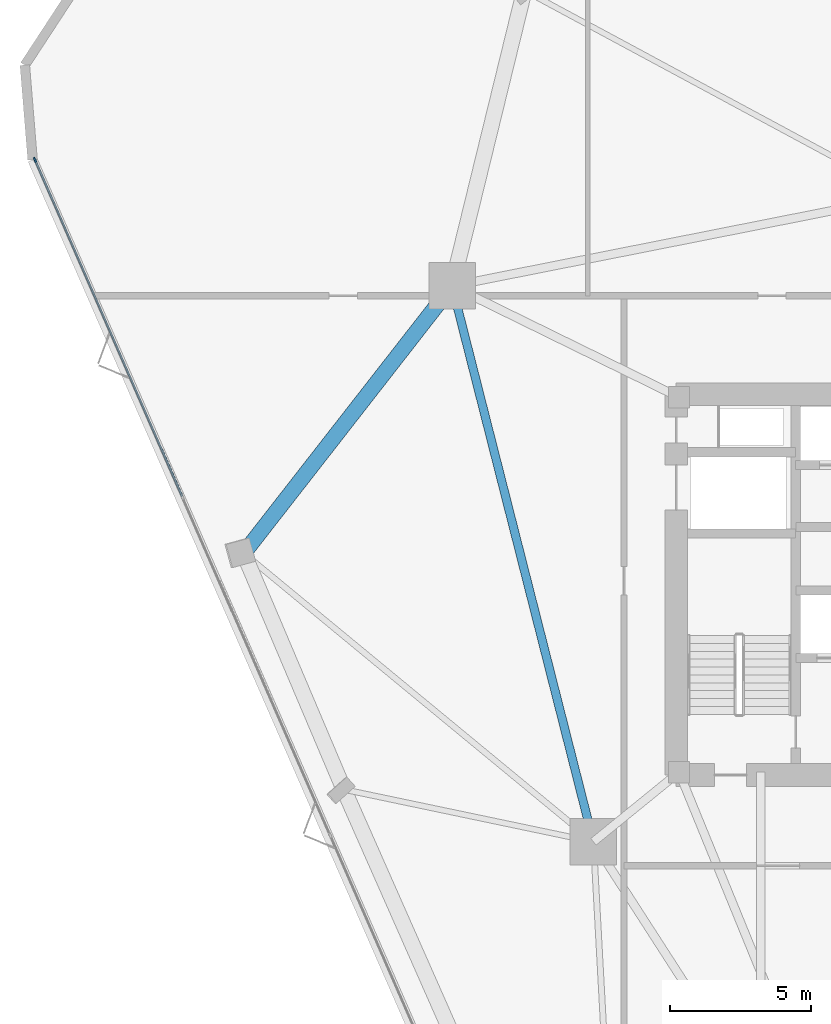
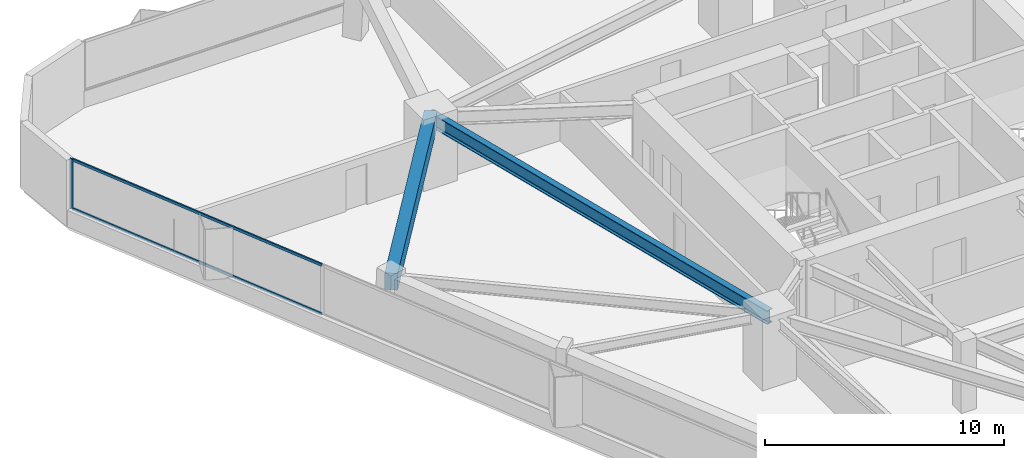
# One storey, part 6 of 17: 3 members, 2 beams, 1 element without a shape of its own.
"""IFC4 building model written with IfcOpenShell, lengths in metres."""

from ifc_helpers import new_model, si_unit, direction, frame, origin, origin_2d, place, context, subcontext, project, spatial, rectangle, i_section, extrude, material, layer, layer_set, material_profile, profile_set, type_object, element, aggregate, save


model = new_model("IFC4")

# Units and contexts
model_context = context("Model", 3, precision=1e-05, world=origin(), true_north=direction((0.0, 1.0)))
body_context = subcontext(model_context, "Body", "Model", "MODEL_VIEW")
ifc_project = project(units=[si_unit("LENGTHUNIT", "METRE"), si_unit("AREAUNIT", "SQUARE_METRE"), si_unit("VOLUMEUNIT", "CUBIC_METRE"), si_unit("PLANEANGLEUNIT", "RADIAN"), si_unit("MASSUNIT", "GRAM", prefix="KILO")], contexts=[model_context])

# Site, building, storey
site_placement = place(None, origin())
site = spatial("IfcSite", under=ifc_project, at=site_placement, CompositionType="ELEMENT")
building_placement = place(site_placement, origin())
building = spatial("IfcBuilding", under=site, at=building_placement, Name="Talyreon Biosciences Tower", CompositionType="ELEMENT")
storey_placement = place(building_placement, frame((0.0, 0.0, 93.25)))
storey = spatial("IfcBuildingStorey", under=building, at=storey_placement, Name="L24", CompositionType="ELEMENT", Elevation=93.25)

# Curtain wall, members
ifc_material_1 = material(Name="Thermally broken aluminium and low-E glazing", Category="aluminium")
ifc_layer = layer(ifc_material_1, 0.18994140625)
ifc_layer_set = layer_set([ifc_layer], Name="Thermally broken aluminium and low-E glazing")
curtain_wall_type = type_object("IfcCurtainWallType", Name="CurtainWall_Zone2Genomics", PredefinedType="NOTDEFINED", material=ifc_layer_set)
curtain_wall_placement = place(storey_placement, origin())
curtain_wall = element("IfcCurtainWall", 1, at=curtain_wall_placement, inside=storey, type_object=curtain_wall_type, Name="L24 Unitised Curtain Wall FCW-L24-00", PredefinedType="NOTDEFINED")
ifc_material_2 = material(Name="Anodised thermally broken aluminium", Category="aluminium")
ifc_material_profile_1 = material_profile(ifc_material_2, rectangle(XDim=0.06494140625, YDim=0.179931640625, at=origin_2d()), Name="ALUM MULLION 65x180")
ifc_profile_set_1 = profile_set([ifc_material_profile_1], Name="Anodised thermally broken aluminium")
member_type_1 = type_object("IfcMemberType", Name="CWMullion_65x180", PredefinedType="MULLION", material=ifc_profile_set_1)
member_1_placement = place(storey_placement, frame((35.1025390625, 83.07275390625, 0.81005859375), z_axis=(0.0, 0.0, 1.0), x_axis=(-0.916278218967, -0.400542414041, 0.0)))
member_1 = element("IfcMember", 2, at=member_1_placement, type_object=member_type_1, Name="CW3 mullion 6", PredefinedType="MULLION", context=body_context, shape_type="SweptSolid", body=[
    extrude(rectangle(XDim=0.06494140625, YDim=0.179931640625, at=origin_2d()), origin(), (0.0, 0.0, 1.0), 2.56494140625),
])
ifc_material_profile_2 = material_profile(ifc_material_2, rectangle(XDim=0.06494140625, YDim=0.139892578125, at=origin_2d()), Name="ALUM TRANSOM 65x140")
ifc_profile_set_2 = profile_set([ifc_material_profile_2], Name="Anodised thermally broken aluminium")
member_type_2 = type_object("IfcMemberType", Name="CWTransom_65x140", PredefinedType="USERDEFINED", material=ifc_profile_set_2)
member_2_placement = place(storey_placement, frame((40.3203125, 71.136474609375, 0.842529296875), z_axis=(-0.400543831876, 0.916277599173, 0.0), x_axis=(-0.916277599173, -0.400543831876, 0.0)))
member_2 = element("IfcMember", 3, at=member_2_placement, type_object=member_type_2, Name="CW3 transom 5.1", ObjectType="TRANSOM", PredefinedType="USERDEFINED", context=body_context, shape_type="SweptSolid", body=[
    extrude(rectangle(XDim=0.06494140625, YDim=0.139892578125, at=origin_2d()), origin(), (0.0, 0.0, 1.0), 12.994384765625),
])
member_3_placement = place(storey_placement, frame((40.3203125, 71.136474609375, 3.342529296875), z_axis=(-0.400543831876, 0.916277599173, 0.0), x_axis=(-0.916277599173, -0.400543831876, 0.0)))
member_3 = element("IfcMember", 4, at=member_3_placement, type_object=member_type_2, Name="CW3 transom 5.2", ObjectType="TRANSOM", PredefinedType="USERDEFINED", context=body_context, shape_type="SweptSolid", body=[
    extrude(rectangle(XDim=0.06494140625, YDim=0.139892578125, at=origin_2d()), origin(), (0.0, 0.0, 1.0), 12.994384765625),
])
aggregate(curtain_wall, [member_1, member_2, member_3])

# Beams
ifc_material_3 = material(Name="Precast concrete C45/55", Category="concrete")
ifc_material_profile_3 = material_profile(ifc_material_3, rectangle(XDim=0.550048828125, YDim=0.85009765625, at=origin_2d()), Name="RCB 550x850")
ifc_profile_set_3 = profile_set([ifc_material_profile_3], Name="Precast concrete C45/55")
beam_type_1 = type_object("IfcBeamType", Name="ExpressedSpandrel_550x850", PredefinedType="SPANDREL", material=ifc_profile_set_3)
beam_1_placement = place(storey_placement, frame((49.897705078125, 78.5986328125, 2.949951171875), z_axis=(-0.614785092745, -0.788694674598, 0.0), x_axis=(0.788694674598, -0.614785092745, 0.0)))
element("IfcBeam", 5, at=beam_1_placement, inside=storey, type_object=beam_type_1, Name="L24 Expressed Horizontal Concrete Spandrel 09", PredefinedType="SPANDREL", context=body_context, shape_type="SweptSolid", body=[
    extrude(rectangle(XDim=0.550048828125, YDim=0.85009765625, at=origin_2d()), origin(), (0.0, 0.0, 1.0), 12.02392578125),
])
ifc_material_4 = material(Name="Steel SM355", Category="steel")
ifc_material_profile_4 = material_profile(ifc_material_4, i_section(OverallWidth=0.300048828125, OverallDepth=0.699951171875, WebThickness=0.01708984375, FlangeThickness=0.031982421875, FilletRadius=0.027099609375, at=origin_2d()), Name="HE700B")
ifc_profile_set_4 = profile_set([ifc_material_profile_4], Name="Steel SM355")
beam_type_2 = type_object("IfcBeamType", Name="SteelGirder_HE700B", PredefinedType="BEAM", material=ifc_profile_set_4)
beam_2_placement = place(storey_placement, frame((49.897705078125, 78.5986328125, 3.02490234375), z_axis=(0.246537082299, -0.969133358755, 0.0), x_axis=(0.969133358755, 0.246537082299, 0.0)))
element("IfcBeam", 6, at=beam_2_placement, inside=storey, type_object=beam_type_2, Name="L24 Mega-Ring Girder 5", PredefinedType="BEAM", context=body_context, shape_type="SweptSolid", body=[
    extrude(i_section(OverallWidth=0.300048828125, OverallDepth=0.699951171875, WebThickness=0.01708984375, FlangeThickness=0.031982421875, FilletRadius=0.027099609375, at=origin_2d()), origin(), (0.0, 0.0, 1.0), 20.34619140625),
])

save(model, "model.ifc")
